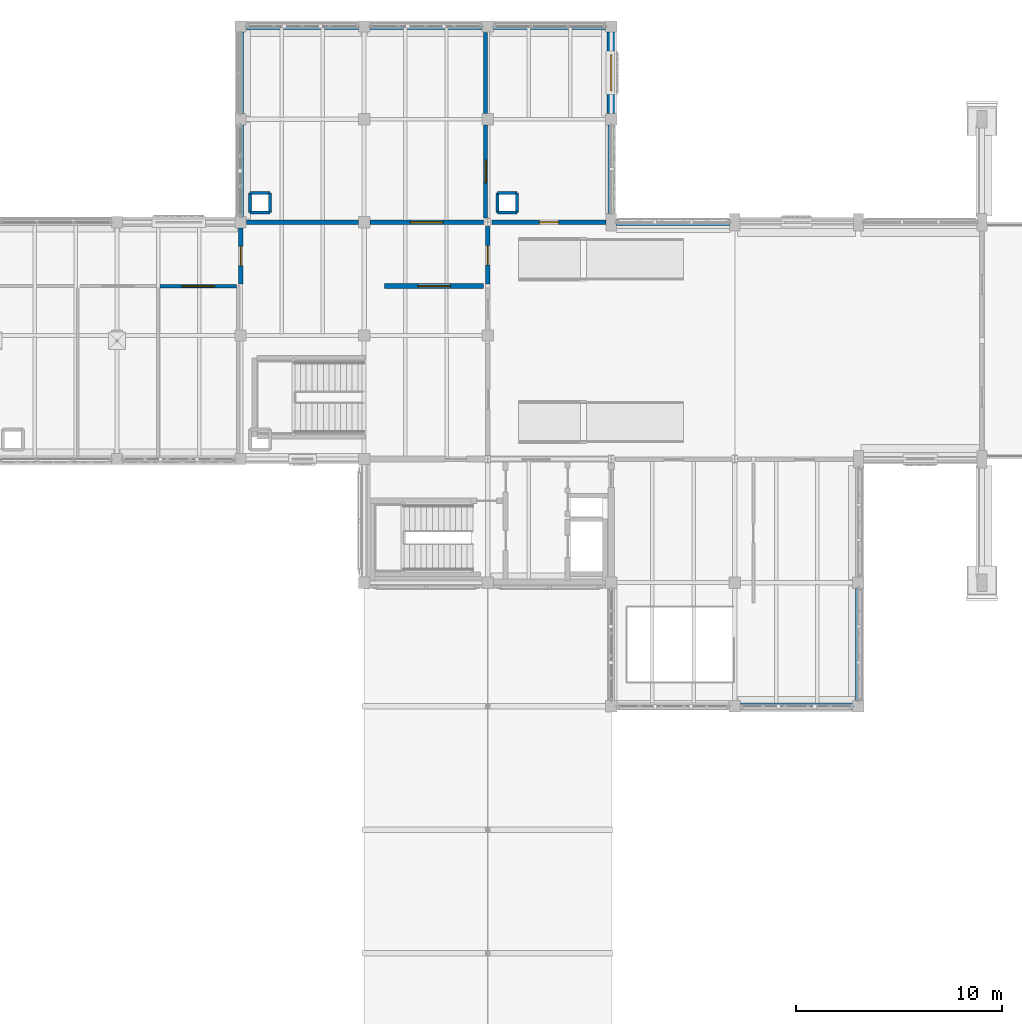
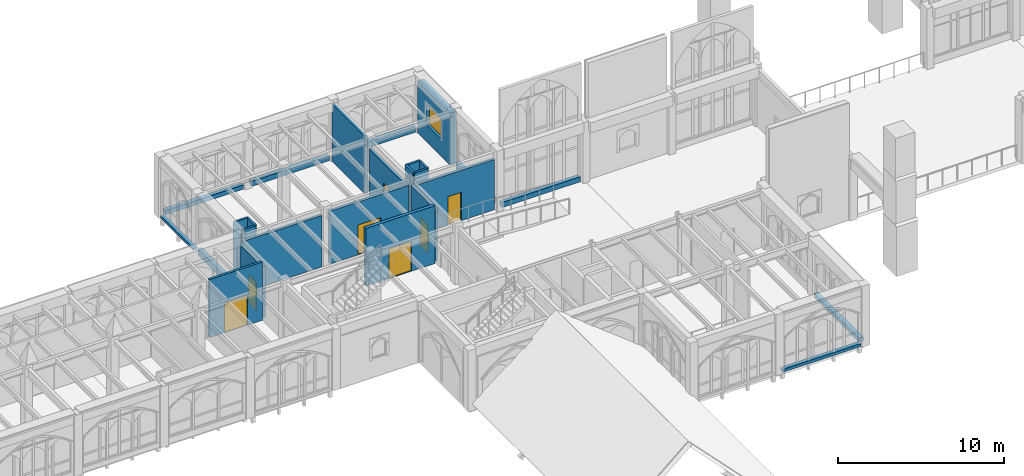
# One storey, part 77 of 108: 27 walls, 7 doors, 1 window, 8 openings.
"""IFC4 building model written with IfcOpenShell, lengths in metres."""

from ifc_helpers import new_model, si_unit, direction, frame, frame_2d, origin, place, context, subcontext, project, spatial, rectangle, extrude, material, layer, layer_set, type_object, element, fill, save


model = new_model("IFC4")

# Units and contexts
model_context = context("Model", 3, precision=1e-05, world=origin(), true_north=direction((0.0, 1.0)))
body_context = subcontext(model_context, "Body", "Model", "MODEL_VIEW")
ifc_project = project(units=[si_unit("LENGTHUNIT", "METRE"), si_unit("AREAUNIT", "SQUARE_METRE"), si_unit("VOLUMEUNIT", "CUBIC_METRE"), si_unit("PLANEANGLEUNIT", "RADIAN"), si_unit("MASSUNIT", "GRAM", prefix="KILO")], contexts=[model_context])

# Site, building, storey
site_placement = place(None, origin())
site = spatial("IfcSite", under=ifc_project, at=site_placement, CompositionType="ELEMENT")
building_placement = place(site_placement, origin())
building = spatial("IfcBuilding", under=site, at=building_placement, Name="Cumevento Cable Car Station", CompositionType="ELEMENT")
storey_placement = place(building_placement, frame((0.0, 0.0, 13.5)))
storey = spatial("IfcBuildingStorey", under=building, at=storey_placement, Name="L04", CompositionType="ELEMENT", Elevation=13.5)

# Walls
ifc_material_1 = material(Name="Gnaisse Facoidal Stone Ashlar 85 MPa", Category="masonry")
ifc_layer_1 = layer(ifc_material_1, 0.294921875)
ifc_layer_set_1 = layer_set([ifc_layer_1], Name="Gnaisse Facoidal Stone Ashlar 85 MPa")
wall_type_1 = type_object("IfcWallType", Name="Exterior Envelope Wall EW-295 295", PredefinedType="SOLIDWALL", material=ifc_layer_set_1)
wall_1_placement = place(storey_placement, frame((81.72509765625, 33.0, 0.0), z_axis=(0.0, 0.0, 1.0), x_axis=(-1.0, 0.0, 0.0)))
element("IfcWall", 1, at=wall_1_placement, inside=storey, type_object=wall_type_1, Name="Exterior Sill Curb Wall EW-295 L04 #301", PredefinedType="SOLIDWALL", context=body_context, shape_type="SweptSolid", body=[
    extrude(rectangle(XDim=5.4501953125, YDim=0.294921875, at=frame_2d((2.72509765625, 0.0))), origin(), (0.0, 0.0, 1.0), 0.2099609375),
])
wall_2_placement = place(storey_placement, frame((82.0, 38.72509765625, 0.0), z_axis=(0.0, 0.0, 1.0), x_axis=(0.0, -1.0, 0.0)))
element("IfcWall", 2, at=wall_2_placement, inside=storey, type_object=wall_type_1, Name="Exterior Sill Curb Wall EW-295 L04 #303", PredefinedType="SOLIDWALL", context=body_context, shape_type="SweptSolid", body=[
    extrude(rectangle(XDim=5.4501953125, YDim=0.294921875, at=frame_2d((2.72509765625, 0.0))), origin(), (0.0, 0.0, 1.0), 0.31005859375),
])
wall_3_placement = place(storey_placement, frame((70.25, 56.5, 0.0), z_axis=(0.0, 0.0, 1.0), x_axis=(1.0, 0.0, 0.0)))
element("IfcWall", 3, at=wall_3_placement, inside=storey, type_object=wall_type_1, Name="Exterior Sill Curb Wall EW-295 L04 #332", PredefinedType="SOLIDWALL", context=body_context, shape_type="SweptSolid", body=[
    extrude(rectangle(XDim=5.5, YDim=0.294921875, at=frame_2d((2.75, 0.0))), origin(), (0.0, 0.0, 1.0), 0.360107421875),
])
wall_4_placement = place(storey_placement, frame((52.27490234375, 66.0, 0.0), z_axis=(0.0, 0.0, 1.0), x_axis=(1.0, 0.0, 0.0)))
element("IfcWall", 4, at=wall_4_placement, inside=storey, type_object=wall_type_1, Name="Exterior Sill Curb Wall EW-295 L04 #343", PredefinedType="SOLIDWALL", context=body_context, shape_type="SweptSolid", body=[
    extrude(rectangle(XDim=5.4501953125, YDim=0.294921875, at=frame_2d((2.72509765625, 0.0))), origin(), (0.0, 0.0, 1.0), 0.31005859375),
])
wall_5_placement = place(storey_placement, frame((58.27490234375, 66.0, 0.0), z_axis=(0.0, 0.0, 1.0), x_axis=(1.0, 0.0, 0.0)))
element("IfcWall", 5, at=wall_5_placement, inside=storey, type_object=wall_type_1, Name="Exterior Sill Curb Wall EW-295 L04 #344", PredefinedType="SOLIDWALL", context=body_context, shape_type="SweptSolid", body=[
    extrude(rectangle(XDim=5.4501953125, YDim=0.294921875, at=frame_2d((2.72509765625, 0.0))), origin(), (0.0, 0.0, 1.0), 0.360107421875),
])
wall_6_placement = place(storey_placement, frame((64.27490234375, 66.0, 0.0), z_axis=(0.0, 0.0, 1.0), x_axis=(1.0, 0.0, 0.0)))
element("IfcWall", 6, at=wall_6_placement, inside=storey, type_object=wall_type_1, Name="Exterior Sill Curb Wall EW-295 L04 #345", PredefinedType="SOLIDWALL", context=body_context, shape_type="SweptSolid", body=[
    extrude(rectangle(XDim=5.4501953125, YDim=0.294921875, at=frame_2d((2.72509765625, 0.0))), origin(), (0.0, 0.0, 1.0), 0.409912109375),
])
wall_7_placement = place(storey_placement, frame((52.0, 56.77490234375, 0.0), z_axis=(0.0, 0.0, 1.0), x_axis=(0.0, 1.0, 0.0)))
element("IfcWall", 7, at=wall_7_placement, inside=storey, type_object=wall_type_1, Name="Exterior Sill Curb Wall EW-295 L04 #346", PredefinedType="SOLIDWALL", context=body_context, shape_type="SweptSolid", body=[
    extrude(rectangle(XDim=4.4501953125, YDim=0.294921875, at=frame_2d((2.22509765625, 0.0))), origin(), (0.0, 0.0, 1.0), 0.4599609375),
])
wall_8_placement = place(storey_placement, frame((70.0, 61.22509765625, 0.0), z_axis=(0.0, 0.0, 1.0), x_axis=(0.0, -1.0, 0.0)))
element("IfcWall", 8, at=wall_8_placement, inside=storey, type_object=wall_type_1, Name="Exterior Sill Curb Wall EW-295 L04 #347", PredefinedType="SOLIDWALL", context=body_context, shape_type="SweptSolid", body=[
    extrude(rectangle(XDim=4.300048828125, YDim=0.294921875, at=frame_2d((2.14990234375, 0.0))), origin(), (0.0, 0.0, 1.0), 0.52001953125),
])
wall_9_placement = place(storey_placement, frame((52.0, 61.77490234375, 0.0), z_axis=(0.0, 0.0, 1.0), x_axis=(0.0, 1.0, 0.0)))
element("IfcWall", 9, at=wall_9_placement, inside=storey, type_object=wall_type_1, Name="Exterior Sill Curb Wall EW-295 L04 #348", PredefinedType="SOLIDWALL", context=body_context, shape_type="SweptSolid", body=[
    extrude(rectangle(XDim=3.9501953125, YDim=0.294921875, at=frame_2d((1.97509765625, 0.0))), origin(), (0.0, 0.0, 1.0), 0.159912109375),
])

# Wall, opening, window
ifc_material_2 = material(Name="Gnaisse Facoidal Stone Ashlar 85 MPa", Category="masonry")
ifc_layer_2 = layer(ifc_material_2, 0.429931640625)
ifc_layer_set_2 = layer_set([ifc_layer_2], Name="Gnaisse Facoidal Stone Ashlar 85 MPa")
wall_type_2 = type_object("IfcWallType", Name="Exterior Envelope Wall EW-430 430", PredefinedType="SOLIDWALL", material=ifc_layer_set_2)
wall_10_placement = place(storey_placement, frame((70.0, 65.72509765625, 0.0), z_axis=(0.0, 0.0, 1.0), x_axis=(0.0, -1.0, 0.0)))
wall_10 = element("IfcWall", 10, at=wall_10_placement, inside=storey, type_object=wall_type_2, Name="Exterior Wall EW-430 L04 #349", PredefinedType="SOLIDWALL", context=body_context, shape_type="SweptSolid", body=[
    extrude(rectangle(XDim=3.9501953125, YDim=0.429931640625, at=frame_2d((1.97509765625, 0.0))), origin(), (0.0, 0.0, 1.0), 3.843017578125),
])
opening_1_placement = place(wall_10_placement, frame((1.10009765625, 0.0, 1.25)))
opening_1 = element("IfcOpeningElement", 11, at=opening_1_placement, cuts=wall_10, Name="Opening WN-L04-094", PredefinedType="OPENING", context=body_context, shape_type="SweptSolid", body=[
    extrude(rectangle(XDim=1.75, YDim=1.5, at=frame_2d((0.875, 0.75))), frame((0.0, 0.224853515625, 0.0), z_axis=(0.0, -1.0, 0.0), x_axis=(1.0, 0.0, 0.0)), (0.0, 0.0, 1.0), 0.449951171875),
])
ifc_material_3 = material(Name="Anodised Bronze Aluminium & Laminated Solar Glass", Category="aluminium")
window_type = type_object("IfcWindowType", Name="Lancet Window WN-22 1750x1500", PartitioningType="DOUBLE_PANEL_VERTICAL", PredefinedType="WINDOW", material=ifc_material_3)
window_placement = place(opening_1_placement, origin())
window = element("IfcWindow", 12, at=window_placement, inside=storey, type_object=window_type, Name="Lancet Window WN-L04-094 (WN-22)", OverallHeight=1.5, OverallWidth=1.75, PartitioningType="SINGLE_PANEL", PredefinedType="WINDOW", context=body_context, shape_type="SweptSolid", body=[
    extrude(rectangle(XDim=1.75, YDim=1.5, at=frame_2d((0.875, 0.75))), frame((0.0, 0.030029296875, 0.0), z_axis=(0.0, -1.0, 0.0), x_axis=(1.0, 0.0, 0.0)), (0.0, 0.0, 1.0), 0.06005859375),
])
fill(opening_1, window)

# Wall, opening, door
ifc_material_4 = material(Name="Concrete C40/50", Category="concrete")
ifc_layer_3 = layer(ifc_material_4, 0.219970703125)
ifc_layer_set_3 = layer_set([ifc_layer_3], Name="Concrete C40/50")
wall_type_3 = type_object("IfcWallType", Name="Interior Partition FW-220 220", PredefinedType="SOLIDWALL", material=ifc_layer_set_3)
wall_11_placement = place(storey_placement, frame((52.0, 53.5, 0.0), z_axis=(0.0, 0.0, 1.0), x_axis=(0.0, 1.0, 0.0)))
wall_11 = element("IfcWall", 13, at=wall_11_placement, inside=storey, type_object=wall_type_3, Name="Interior Wall FW-220 L04 #704", PredefinedType="SOLIDWALL", context=body_context, shape_type="SweptSolid", body=[
    extrude(rectangle(XDim=2.722900390625, YDim=0.219970703125, at=frame_2d((1.361328125, 0.0))), origin(), (0.0, 0.0, 1.0), 3.79296875),
])
opening_2_placement = place(wall_11_placement, frame((0.8916015625, 0.0, 0.0)))
opening_2 = element("IfcOpeningElement", 14, at=opening_2_placement, cuts=wall_11, Name="Opening DR-L04-284", PredefinedType="OPENING", context=body_context, shape_type="SweptSolid", body=[
    extrude(rectangle(XDim=0.93994140625, YDim=2.10009765625, at=frame_2d((0.469970703125, 1.050048828125))), frame((0.0, 0.119873046875, 0.0), z_axis=(0.0, -1.0, 0.0), x_axis=(1.0, 0.0, 0.0)), (0.0, 0.0, 1.0), 0.239990234375),
])
ifc_material_5 = material(Name="Galvanised Painted Steel Fire Door", Category="steel")
door_type_1 = type_object("IfcDoorType", Name="Interior Door FD-08 940x2100", OperationType="NOTDEFINED", PredefinedType="DOOR", material=ifc_material_5)
door_1_placement = place(opening_2_placement, origin())
door_1 = element("IfcDoor", 15, at=door_1_placement, inside=storey, type_object=door_type_1, Name="Interior Door DR-L04-284 (FD-08)", OperationType="SINGLE_SWING_RIGHT", OverallHeight=2.10009765625, OverallWidth=0.93994140625, PredefinedType="DOOR", context=body_context, shape_type="SweptSolid", body=[
    extrude(rectangle(XDim=0.93994140625, YDim=2.10009765625, at=frame_2d((0.469970703125, 1.050048828125))), frame((0.0, 0.02490234375, 0.0), z_axis=(0.0, -1.0, 0.0), x_axis=(1.0, 0.0, 0.0)), (0.0, 0.0, 1.0), 0.050048828125),
])
fill(opening_2, door_1)

wall_12_placement = place(storey_placement, frame((64.0, 53.5, 0.0), z_axis=(0.0, 0.0, 1.0), x_axis=(0.0, 1.0, 0.0)))
wall_12 = element("IfcWall", 16, at=wall_12_placement, inside=storey, type_object=wall_type_3, Name="Interior Wall FW-220 L04 #708", PredefinedType="SOLIDWALL", context=body_context, shape_type="SweptSolid", body=[
    extrude(rectangle(XDim=2.800048828125, YDim=0.219970703125, at=frame_2d((1.39990234375, 0.0))), origin(), (0.0, 0.0, 1.0), 3.89599609375),
])
opening_3_placement = place(wall_12_placement, frame((0.929931640625, 0.0, 0.0)))
opening_3 = element("IfcOpeningElement", 17, at=opening_3_placement, cuts=wall_12, Name="Opening DR-L04-288", PredefinedType="OPENING", context=body_context, shape_type="SweptSolid", body=[
    extrude(rectangle(XDim=0.93994140625, YDim=2.10009765625, at=frame_2d((0.469970703125, 1.050048828125))), frame((0.0, 0.119873046875, 0.0), z_axis=(0.0, -1.0, 0.0), x_axis=(1.0, 0.0, 0.0)), (0.0, 0.0, 1.0), 0.239990234375),
])
door_2_placement = place(opening_3_placement, origin())
door_2 = element("IfcDoor", 18, at=door_2_placement, inside=storey, type_object=door_type_1, Name="Interior Door DR-L04-288 (FD-08)", OperationType="SINGLE_SWING_LEFT", OverallHeight=2.10009765625, OverallWidth=0.93994140625, PredefinedType="DOOR", context=body_context, shape_type="SweptSolid", body=[
    extrude(rectangle(XDim=0.93994140625, YDim=2.10009765625, at=frame_2d((0.469970703125, 1.050048828125))), frame((0.0, 0.02490234375, 0.0), z_axis=(0.0, -1.0, 0.0), x_axis=(1.0, 0.0, 0.0)), (0.0, 0.0, 1.0), 0.050048828125),
])
fill(opening_3, door_2)

wall_13_placement = place(storey_placement, frame((58.277099609375, 56.5, 0.0), z_axis=(0.0, 0.0, 1.0), x_axis=(1.0, 0.0, 0.0)))
wall_13 = element("IfcWall", 19, at=wall_13_placement, inside=storey, type_object=wall_type_3, Name="Interior Wall FW-220 L04 #709", PredefinedType="SOLIDWALL", context=body_context, shape_type="SweptSolid", body=[
    extrude(rectangle(XDim=5.52294921875, YDim=0.219970703125, at=frame_2d((2.761474609375, 0.0))), origin(), (0.0, 0.0, 1.0), 3.89599609375),
])
opening_4_placement = place(wall_13_placement, frame((1.971435546875, 0.0, 0.0)))
opening_4 = element("IfcOpeningElement", 20, at=opening_4_placement, cuts=wall_13, Name="Opening DR-L04-289", PredefinedType="OPENING", context=body_context, shape_type="SweptSolid", body=[
    extrude(rectangle(XDim=1.580078125, YDim=2.199951171875, at=frame_2d((0.7900390625, 1.10009765625))), frame((0.0, 0.119873046875, 0.0), z_axis=(0.0, -1.0, 0.0), x_axis=(1.0, 0.0, 0.0)), (0.0, 0.0, 1.0), 0.239990234375),
])
ifc_material_6 = material(Name="Galvanised Painted Steel Fire Door", Category="steel")
door_type_2 = type_object("IfcDoorType", Name="Interior Door FD-06 1580x2200", OperationType="NOTDEFINED", PredefinedType="DOOR", material=ifc_material_6)
door_3_placement = place(opening_4_placement, origin())
door_3 = element("IfcDoor", 21, at=door_3_placement, inside=storey, type_object=door_type_2, Name="Interior Door DR-L04-289 (FD-06)", OperationType="DOUBLE_DOOR_SINGLE_SWING", OverallHeight=2.199951171875, OverallWidth=1.580078125, PredefinedType="DOOR", context=body_context, shape_type="SweptSolid", body=[
    extrude(rectangle(XDim=1.580078125, YDim=2.199951171875, at=frame_2d((0.7900390625, 1.10009765625))), frame((0.0, 0.02490234375, 0.0), z_axis=(0.0, -1.0, 0.0), x_axis=(1.0, 0.0, 0.0)), (0.0, 0.0, 1.0), 0.050048828125),
])
fill(opening_4, door_3)

# Wall
wall_14_placement = place(storey_placement, frame((52.277099609375, 56.5, 0.0), z_axis=(0.0, 0.0, 1.0), x_axis=(1.0, 0.0, 0.0)))
element("IfcWall", 22, at=wall_14_placement, inside=storey, type_object=wall_type_3, Name="Interior Wall FW-220 L04 #710", PredefinedType="SOLIDWALL", context=body_context, shape_type="SweptSolid", body=[
    extrude(rectangle(XDim=5.44580078125, YDim=0.219970703125, at=frame_2d((2.722900390625, 0.0))), origin(), (0.0, 0.0, 1.0), 3.79296875),
])

# Wall, opening, door
wall_15_placement = place(storey_placement, frame((64.199951171875, 56.5, 0.0), z_axis=(0.0, 0.0, 1.0), x_axis=(1.0, 0.0, 0.0)))
wall_15 = element("IfcWall", 23, at=wall_15_placement, inside=storey, type_object=wall_type_3, Name="Interior Wall FW-220 L04 #713", PredefinedType="SOLIDWALL", context=body_context, shape_type="SweptSolid", body=[
    extrude(rectangle(XDim=5.548095703125, YDim=0.219970703125, at=frame_2d((2.77392578125, 0.0))), origin(), (0.0, 0.0, 1.0), 3.7109375),
])
opening_5_placement = place(wall_15_placement, frame((2.303955078125, 0.0, 0.0)))
opening_5 = element("IfcOpeningElement", 24, at=opening_5_placement, cuts=wall_15, Name="Opening DR-L04-292", PredefinedType="OPENING", context=body_context, shape_type="SweptSolid", body=[
    extrude(rectangle(XDim=0.93994140625, YDim=2.10009765625, at=frame_2d((0.469970703125, 1.050048828125))), frame((0.0, 0.119873046875, 0.0), z_axis=(0.0, -1.0, 0.0), x_axis=(1.0, 0.0, 0.0)), (0.0, 0.0, 1.0), 0.239990234375),
])
door_4_placement = place(opening_5_placement, origin())
door_4 = element("IfcDoor", 25, at=door_4_placement, inside=storey, type_object=door_type_1, Name="Interior Door DR-L04-292 (FD-08)", OperationType="SINGLE_SWING_RIGHT", OverallHeight=2.10009765625, OverallWidth=0.93994140625, PredefinedType="DOOR", context=body_context, shape_type="SweptSolid", body=[
    extrude(rectangle(XDim=0.93994140625, YDim=2.10009765625, at=frame_2d((0.469970703125, 1.050048828125))), frame((0.0, 0.02490234375, 0.0), z_axis=(0.0, -1.0, 0.0), x_axis=(1.0, 0.0, 0.0)), (0.0, 0.0, 1.0), 0.050048828125),
])
fill(opening_5, door_4)

# Walls
ifc_material_7 = material(Name="Gypsum Board & Insulated Stud Partition", Category="gypsum")
ifc_layer_4 = layer(ifc_material_7, 0.14501953125)
ifc_layer_set_4 = layer_set([ifc_layer_4], Name="Gypsum Board & Insulated Stud Partition")
wall_type_4 = type_object("IfcWallType", Name="Interior Partition PT-145 145", PredefinedType="PARTITIONING", material=ifc_layer_set_4)
for number, where, z_axis, x_axis, name in (
    (26, (52.469970703125, 56.969970703125, 0.0), (0.0, 0.0, 1.0), (1.0, 0.0, 0.0), "Interior Wall PT-145 L04 #73"),
    (27, (53.429931640625, 56.969970703125, 0.0), (0.0, 0.0, 1.0), (0.0, 1.0, 0.0), "Interior Wall PT-145 L04 #74"),
    (28, (53.429931640625, 57.929931640625, 0.0), (0.0, 0.0, 1.0), (-1.0, 0.0, 0.0), "Interior Wall PT-145 L04 #75"),
    (29, (52.469970703125, 57.929931640625, 0.0), (0.0, 0.0, 1.0), (0.0, -1.0, 0.0), "Interior Wall PT-145 L04 #76"),
    (30, (64.469970703125, 56.969970703125, 0.0), (0.0, 0.0, 1.0), (1.0, 0.0, 0.0), "Interior Wall PT-145 L04 #77"),
    (31, (65.429931640625, 56.969970703125, 0.0), (0.0, 0.0, 1.0), (0.0, 1.0, 0.0), "Interior Wall PT-145 L04 #78"),
    (32, (65.429931640625, 57.929931640625, 0.0), (0.0, 0.0, 1.0), (-1.0, 0.0, 0.0), "Interior Wall PT-145 L04 #79"),
    (33, (64.469970703125, 57.929931640625, 0.0), (0.0, 0.0, 1.0), (0.0, -1.0, 0.0), "Interior Wall PT-145 L04 #80"),
):
    element("IfcWall", number, at=place(storey_placement, frame(where, z_axis=z_axis, x_axis=x_axis)), inside=storey, type_object=wall_type_4, Name=name, PredefinedType="PARTITIONING", context=body_context, shape_type="SweptSolid", body=[
        extrude(rectangle(XDim=0.9599609375, YDim=0.14501953125, at=frame_2d((0.47998046875, 0.0))), origin(), (0.0, 0.0, 1.0), 4.239990234375),
    ])

# Wall, opening, door
ifc_material_8 = material(Name="Gypsum Board & Insulated Stud Partition", Category="gypsum")
ifc_layer_5 = layer(ifc_material_8, 0.1650390625)
ifc_layer_set_5 = layer_set([ifc_layer_5], Name="Gypsum Board & Insulated Stud Partition")
wall_type_5 = type_object("IfcWallType", Name="Interior Partition PT-165 165", PredefinedType="PARTITIONING", material=ifc_layer_set_5)
wall_16_placement = place(storey_placement, frame((48.10009765625, 53.39990234375, 0.0), z_axis=(0.0, 0.0, 1.0), x_axis=(1.0, 0.0, 0.0)))
wall_16 = element("IfcWall", 34, at=wall_16_placement, inside=storey, type_object=wall_type_5, Name="Interior Wall PT-165 L04 #701", PredefinedType="PARTITIONING", context=body_context, shape_type="SweptSolid", body=[
    extrude(rectangle(XDim=3.699951171875, YDim=0.1650390625, at=frame_2d((1.85009765625, 0.0))), origin(), (0.0, 0.0, 1.0), 4.2880859375),
])
opening_6_placement = place(wall_16_placement, frame((1.06005859375, 0.0, 0.0)))
opening_6 = element("IfcOpeningElement", 35, at=opening_6_placement, cuts=wall_16, Name="Opening DR-L04-282", PredefinedType="OPENING", context=body_context, shape_type="SweptSolid", body=[
    extrude(rectangle(XDim=1.580078125, YDim=2.199951171875, at=frame_2d((0.7900390625, 1.10009765625))), frame((0.0, 0.092529296875, 0.0), z_axis=(0.0, -1.0, 0.0), x_axis=(1.0, 0.0, 0.0)), (0.0, 0.0, 1.0), 0.18505859375),
])
door_5_placement = place(opening_6_placement, origin())
door_5 = element("IfcDoor", 36, at=door_5_placement, inside=storey, type_object=door_type_2, Name="Interior Door DR-L04-282 (FD-06)", OperationType="DOUBLE_DOOR_SINGLE_SWING", OverallHeight=2.199951171875, OverallWidth=1.580078125, PredefinedType="DOOR", context=body_context, shape_type="SweptSolid", body=[
    extrude(rectangle(XDim=1.580078125, YDim=2.199951171875, at=frame_2d((0.7900390625, 1.10009765625))), frame((0.0, 0.02490234375, 0.0), z_axis=(0.0, -1.0, 0.0), x_axis=(1.0, 0.0, 0.0)), (0.0, 0.0, 1.0), 0.050048828125),
])
fill(opening_6, door_5)

ifc_material_9 = material(Name="Moisture-Resistant Tile & Stud Partition", Category="gypsum")
ifc_layer_6 = layer(ifc_material_9, 0.18505859375)
ifc_layer_set_6 = layer_set([ifc_layer_6], Name="Moisture-Resistant Tile & Stud Partition")
wall_type_6 = type_object("IfcWallType", Name="Interior Partition PT-185 185", PredefinedType="PARTITIONING", material=ifc_layer_set_6)
wall_17_placement = place(storey_placement, frame((63.89990234375, 56.699951171875, 0.0), z_axis=(0.0, 0.0, 1.0), x_axis=(0.0, 1.0, 0.0)))
wall_17 = element("IfcWall", 37, at=wall_17_placement, inside=storey, type_object=wall_type_6, Name="Interior Wall PT-185 L04 #714", PredefinedType="PARTITIONING", context=body_context, shape_type="SweptSolid", body=[
    extrude(rectangle(XDim=4.52294921875, YDim=0.18505859375, at=frame_2d((2.261474609375, 0.0))), origin(), (0.0, 0.0, 1.0), 3.64208984375),
])
opening_7_placement = place(wall_17_placement, frame((1.71142578125, 0.0, 0.0)))
opening_7 = element("IfcOpeningElement", 38, at=opening_7_placement, cuts=wall_17, Name="Opening DR-L04-293", PredefinedType="OPENING", context=body_context, shape_type="SweptSolid", body=[
    extrude(rectangle(XDim=1.10009765625, YDim=2.199951171875, at=frame_2d((0.550048828125, 1.10009765625))), frame((0.0, 0.1025390625, 0.0), z_axis=(0.0, -1.0, 0.0), x_axis=(1.0, 0.0, 0.0)), (0.0, 0.0, 1.0), 0.205078125),
])
ifc_material_10 = material(Name="Hardwood Ipe Timber Door Leaf", Category="wood")
door_type_3 = type_object("IfcDoorType", Name="Interior Door ID-07 1100x2200", OperationType="NOTDEFINED", PredefinedType="DOOR", material=ifc_material_10)
door_6_placement = place(opening_7_placement, origin())
door_6 = element("IfcDoor", 39, at=door_6_placement, inside=storey, type_object=door_type_3, Name="Interior Door DR-L04-293 (ID-07)", OperationType="SINGLE_SWING_LEFT", OverallHeight=2.199951171875, OverallWidth=1.10009765625, PredefinedType="DOOR", context=body_context, shape_type="SweptSolid", body=[
    extrude(rectangle(XDim=1.10009765625, YDim=2.199951171875, at=frame_2d((0.550048828125, 1.10009765625))), frame((0.0, 0.02490234375, 0.0), z_axis=(0.0, -1.0, 0.0), x_axis=(1.0, 0.0, 0.0)), (0.0, 0.0, 1.0), 0.050048828125),
])
fill(opening_7, door_6)

# Wall
wall_18_placement = place(storey_placement, frame((63.89990234375, 61.777099609375, 0.0), z_axis=(0.0, 0.0, 1.0), x_axis=(0.0, 1.0, 0.0)))
element("IfcWall", 40, at=wall_18_placement, inside=storey, type_object=wall_type_6, Name="Interior Wall PT-185 L04 #715", PredefinedType="PARTITIONING", context=body_context, shape_type="SweptSolid", body=[
    extrude(rectangle(XDim=3.94580078125, YDim=0.18505859375, at=frame_2d((1.972900390625, 0.0))), origin(), (0.0, 0.0, 1.0), 4.239990234375),
])

# Wall, opening, door
ifc_material_11 = material(Name="Acoustic Masonry Block Partition", Category="masonry")
ifc_layer_7 = layer(ifc_material_11, 0.23193359375)
ifc_layer_set_7 = layer_set([ifc_layer_7], Name="Acoustic Masonry Block Partition")
wall_type_7 = type_object("IfcWallType", Name="Interior Partition PT-232 232", PredefinedType="PARTITIONING", material=ifc_layer_set_7)
wall_19_placement = place(storey_placement, frame((59.0, 53.39990234375, 0.0), z_axis=(0.0, 0.0, 1.0), x_axis=(1.0, 0.0, 0.0)))
wall_19 = element("IfcWall", 41, at=wall_19_placement, inside=storey, type_object=wall_type_7, Name="Interior Wall PT-232 L04 #705", PredefinedType="PARTITIONING", context=body_context, shape_type="SweptSolid", body=[
    extrude(rectangle(XDim=4.800048828125, YDim=0.23193359375, at=frame_2d((2.39990234375, 0.0))), origin(), (0.0, 0.0, 1.0), 4.263916015625),
])
opening_8_placement = place(wall_19_placement, frame((1.610107421875, 0.0, 0.0)))
opening_8 = element("IfcOpeningElement", 42, at=opening_8_placement, cuts=wall_19, Name="Opening DR-L04-285", PredefinedType="OPENING", context=body_context, shape_type="SweptSolid", body=[
    extrude(rectangle(XDim=1.580078125, YDim=2.199951171875, at=frame_2d((0.7900390625, 1.10009765625))), frame((0.0, 0.1259765625, 0.0), z_axis=(0.0, -1.0, 0.0), x_axis=(1.0, 0.0, 0.0)), (0.0, 0.0, 1.0), 0.251953125),
])
door_7_placement = place(opening_8_placement, origin())
door_7 = element("IfcDoor", 43, at=door_7_placement, inside=storey, type_object=door_type_2, Name="Interior Door DR-L04-285 (FD-06)", OperationType="DOUBLE_DOOR_SINGLE_SWING", OverallHeight=2.199951171875, OverallWidth=1.580078125, PredefinedType="DOOR", context=body_context, shape_type="SweptSolid", body=[
    extrude(rectangle(XDim=1.580078125, YDim=2.199951171875, at=frame_2d((0.7900390625, 1.10009765625))), frame((0.0, 0.02490234375, 0.0), z_axis=(0.0, -1.0, 0.0), x_axis=(1.0, 0.0, 0.0)), (0.0, 0.0, 1.0), 0.050048828125),
])
fill(opening_8, door_7)

save(model, "model.ifc")
